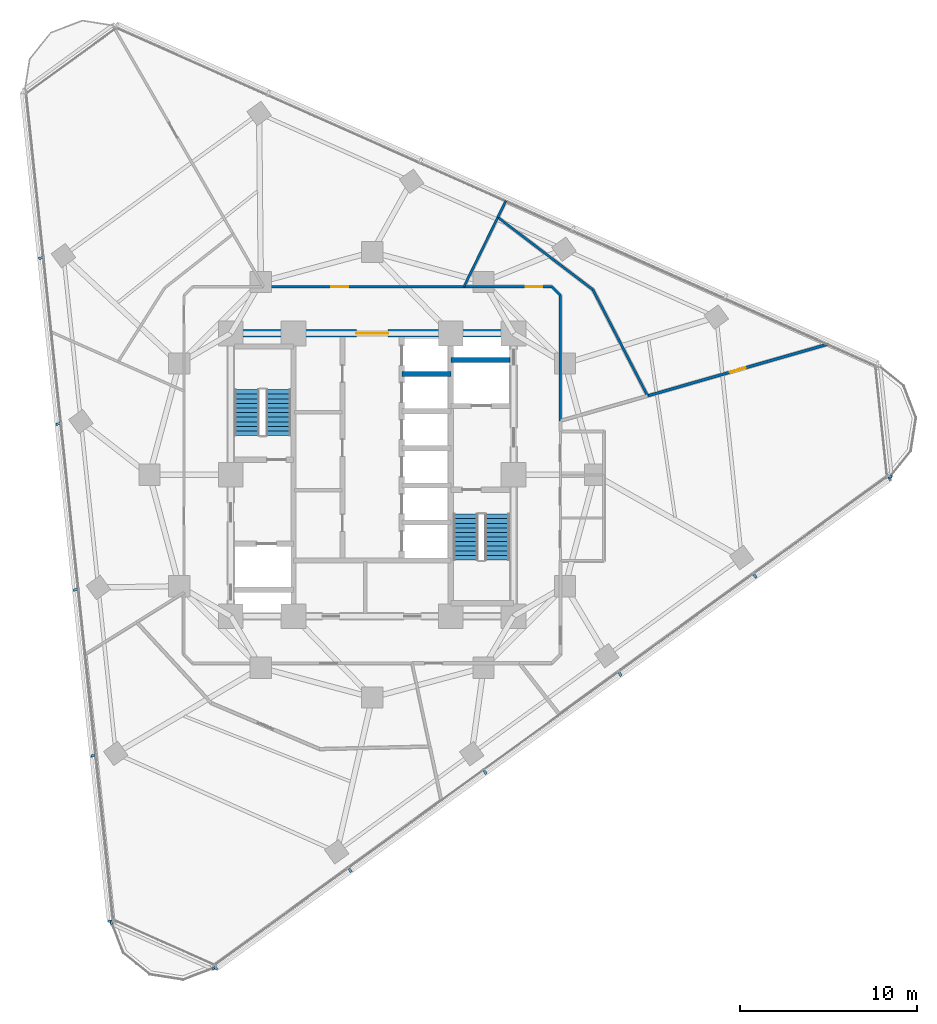
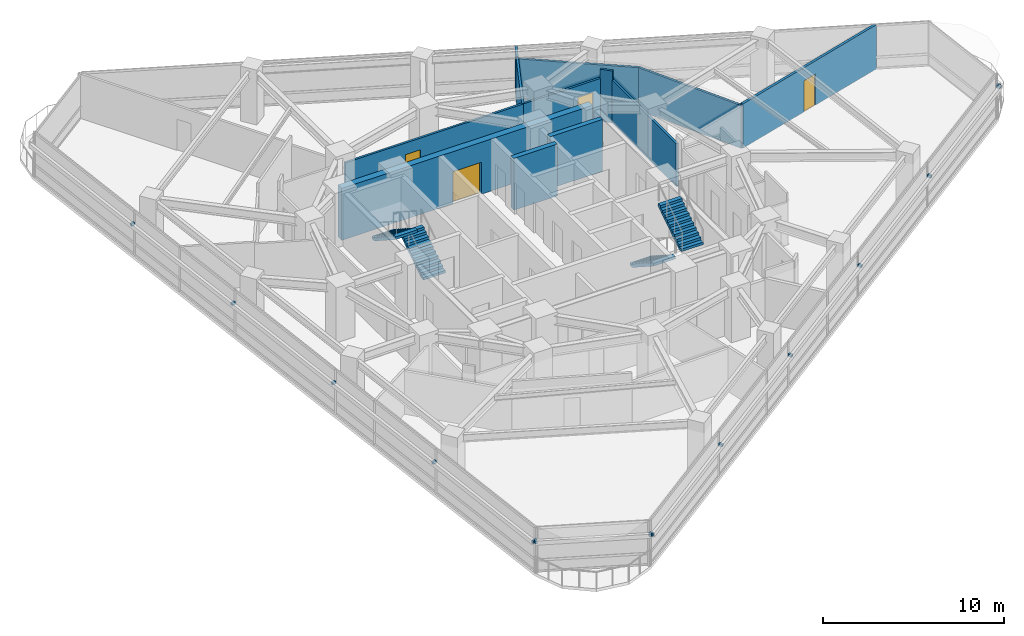
# One storey, part 10 of 14: 14 discrete accessories, 12 walls, 4 doors, 4 stair flights, 4 openings, 2 elements without a shape of their own.
"""IFC4 building model written with IfcOpenShell, lengths in metres."""

import ifcopenshell
import ifcopenshell.guid

model = None  # the IFC model being written
_history = None  # IfcOwnerHistory: only IFC2X3 demands one
_inside = {}  # id of a spatial element -> (the spatial element, [elements in it])
_under = {}  # id of a project, library or spatial element -> (it, [spatial elements below it])
_declared = {}  # id of a project -> (the project, [libraries it declares])
_typed = {}  # id of a type object -> (the type object, [elements of that type])
_made_of = {}  # id of a material, layer set ... -> (it, [elements and type objects made of it])


def new_model(schema):
    """Start an empty IFC model of exactly this schema.

    Asked for "IFC4X3", IfcOpenShell would pick the latest addendum, in which some entities
    have other attributes; the version numbers below select the first issue.
    IFC2X3 requires an IfcOwnerHistory on every rooted entity: one is made here for all.
    """
    global model, _history
    if schema == "IFC4X3":
        model = ifcopenshell.file(schema_version=(4, 3, 0, 0))
    else:
        model = ifcopenshell.file(schema=schema)
    _inside.clear()
    _under.clear()
    _declared.clear()
    _typed.clear()
    _made_of.clear()
    _history = None
    if model.schema == "IFC2X3":
        org = make("IfcOrganization", Name="unknown")
        user = make(
            "IfcPersonAndOrganization",
            ThePerson=make("IfcPerson", FamilyName="unknown"),
            TheOrganization=org,
        )
        app = make(
            "IfcApplication",
            ApplicationDeveloper=org,
            Version="unknown",
            ApplicationFullName="unknown",
            ApplicationIdentifier="unknown",
        )
        _history = make(
            "IfcOwnerHistory",
            OwningUser=user,
            OwningApplication=app,
            ChangeAction="ADDED",
            CreationDate=0,
        )
    return model


def make(cls, **values):
    """One entity of the class cls with the attributes given. An attribute that is None is left unset."""
    return model.create_entity(
        cls, **{name: value for name, value in values.items() if value is not None}
    )


def rooted(cls, **values):
    """An entity with a GlobalId (a new one), such as an element, a storey or a relation."""
    return make(cls, GlobalId=ifcopenshell.guid.new(), OwnerHistory=_history, **values)


def si_unit(unit_type, name, prefix=None):
    """IfcSIUnit, for example si_unit("LENGTHUNIT", "METRE", prefix="MILLI")."""
    return make("IfcSIUnit", UnitType=unit_type, Prefix=prefix, Name=name)


def assignment(units):
    """IfcUnitAssignment: the units of a project."""
    return None if units is None else make("IfcUnitAssignment", Units=units)


def point(xyz):
    """IfcCartesianPoint."""
    return None if xyz is None else make("IfcCartesianPoint", Coordinates=xyz)


def direction(xyz):
    """IfcDirection."""
    return None if xyz is None else make("IfcDirection", DirectionRatios=xyz)


def frame(location, z_axis=None, x_axis=None):
    """IfcAxis2Placement3D, a coordinate frame: its origin and axes. An axis left out is left unset."""
    return make(
        "IfcAxis2Placement3D",
        Location=point(location),
        Axis=direction(z_axis),
        RefDirection=direction(x_axis),
    )


def frame_2d(location, x_axis=None):
    """IfcAxis2Placement2D, a coordinate frame in the plane: its origin and x axis."""
    return make(
        "IfcAxis2Placement2D", Location=point(location), RefDirection=direction(x_axis)
    )


def origin():
    """The frame at (0, 0, 0) with its axes left unset."""
    return frame((0.0, 0.0, 0.0))


def origin_2d():
    """The frame at (0, 0) in the plane with its x axis left unset."""
    return frame_2d((0.0, 0.0))


def place(relative_to, where):
    """IfcLocalPlacement: puts the frame where relative to a parent placement (None: the world)."""
    return make(
        "IfcLocalPlacement", PlacementRelTo=relative_to, RelativePlacement=where
    )


def context(
    kind, dimensions, precision=None, world=None, true_north=None, identifier=None
):
    """IfcGeometricRepresentationContext, for example the 3D "Model" context."""
    return make(
        "IfcGeometricRepresentationContext",
        ContextIdentifier=identifier,
        ContextType=kind,
        CoordinateSpaceDimension=dimensions,
        Precision=precision,
        WorldCoordinateSystem=world,
        TrueNorth=true_north,
    )


def subcontext(parent, identifier, kind, view, scale=None):
    """IfcGeometricRepresentationSubContext, for example "Body" below "Model"."""
    return make(
        "IfcGeometricRepresentationSubContext",
        ContextIdentifier=identifier,
        ContextType=kind,
        ParentContext=parent,
        TargetScale=scale,
        TargetView=view,
    )


def project(units=None, contexts=None):
    """IfcProject with its units and contexts."""
    return rooted(
        "IfcProject",
        Name="project",
        RepresentationContexts=contexts,
        UnitsInContext=assignment(units),
    )


def spatial(cls, under=None, at=None, **own):
    """A site, building, storey or space (cls), placed at a placement, below another one or the project."""
    s = rooted(cls, ObjectPlacement=at, **own)
    if under is not None:
        _under.setdefault(under.id(), (under, []))[1].append(s)
    return s


def polyline(points):
    """IfcPolyline through the points."""
    return make("IfcPolyline", Points=[point(p) for p in points])


def profile(cls, at=None, kind="AREA", **sizes):
    """A parametric profile (cls). Its sizes go by their IFC names, for example OverallWidth=200.0."""
    return make(cls, ProfileType=kind, Position=at, **sizes)


def rectangle(**sizes):
    """IfcRectangleProfileDef."""
    return profile("IfcRectangleProfileDef", **sizes)


def outline(outer, holes=None, kind="AREA"):
    """IfcArbitraryClosedProfileDef: a profile drawn as a closed curve; with holes, ...WithVoids."""
    if holes is None:
        return make("IfcArbitraryClosedProfileDef", ProfileType=kind, OuterCurve=outer)
    return make(
        "IfcArbitraryProfileDefWithVoids",
        ProfileType=kind,
        OuterCurve=outer,
        InnerCurves=holes,
    )


def extrude(swept, where, along, depth):
    """IfcExtrudedAreaSolid: the profile swept, set in the frame where, extruded along a direction by depth."""
    return make(
        "IfcExtrudedAreaSolid",
        SweptArea=swept,
        Position=where,
        ExtrudedDirection=direction(along),
        Depth=depth,
    )


def shape(context_of_items, identifier, shape_type, items):
    """IfcShapeRepresentation: the items that make up one representation, for example the "Body"."""
    return make(
        "IfcShapeRepresentation",
        ContextOfItems=context_of_items,
        RepresentationIdentifier=identifier,
        RepresentationType=shape_type,
        Items=items,
    )


def material(Name=None, Category=None):
    """IfcMaterial."""
    return make("IfcMaterial", Name=Name, Category=Category)


def layer(
    of_material, thickness, ventilated=None, Name=None, Category=None, Priority=None
):
    """IfcMaterialLayer: one layer of a wall or slab, of a material (None: an air gap)."""
    return make(
        "IfcMaterialLayer",
        Material=of_material,
        LayerThickness=thickness,
        IsVentilated=ventilated,
        Name=Name,
        Category=Category,
        Priority=Priority,
    )


def layer_set(layers, Name=None):
    """IfcMaterialLayerSet."""
    return make("IfcMaterialLayerSet", MaterialLayers=layers, LayerSetName=Name)


def made_of(thing, what):
    """Note that an element or type object is made of a material, layer set ...; save() writes the relation."""
    if what is not None:
        _made_of.setdefault(what.id(), (what, []))[1].append(thing)
    return thing


def type_object(cls, material=None, **own):
    """A type object (cls), such as IfcWallType, which elements share."""
    return made_of(rooted(cls, **own), material)


def element(
    cls,
    number,
    at=None,
    inside=None,
    cuts=None,
    type_object=None,
    material=None,
    context=None,
    identifier="Body",
    shape_type=None,
    held_by="IfcProductDefinitionShape",
    body=None,
    shapes=None,
    **own,
):
    """One element of the class cls, such as IfcWall. Its Tag is "e" and its number.

    at: its placement. inside: the storey or other place that contains it. cuts: it is an
    opening in that element (IfcRelVoidsElement). A single representation is given by context,
    identifier, shape_type and body (its items); several are given by shapes. held_by: the class
    of the entity that holds the representations. save() writes the other relations.
    """
    e = rooted(cls, Tag="e%d" % number, ObjectPlacement=at, **own)
    if body is not None:
        shapes = [shape(context, identifier, shape_type, body)]
    if shapes is not None:
        e.Representation = make(held_by, Representations=shapes)
    if inside is not None:
        _inside.setdefault(inside.id(), (inside, []))[1].append(e)
    if cuts is not None:
        rooted(
            "IfcRelVoidsElement", RelatingBuildingElement=cuts, RelatedOpeningElement=e
        )
    if type_object is not None:
        _typed.setdefault(type_object.id(), (type_object, []))[1].append(e)
    return made_of(e, material)


def fill(opening, filler):
    """IfcRelFillsElement: the door or window that sits in an opening."""
    return rooted(
        "IfcRelFillsElement",
        RelatingOpeningElement=opening,
        RelatedBuildingElement=filler,
    )


def aggregate(whole, parts):
    """IfcRelAggregates: a whole, such as a stair, and the parts it consists of."""
    return rooted("IfcRelAggregates", RelatingObject=whole, RelatedObjects=parts)


def save(model, path):
    """Write the relations noted so far, then the file.

    IfcRelAggregates (storeys below a building ...), IfcRelContainedInSpatialStructure (elements
    in a storey), IfcRelDefinesByType, IfcRelAssociatesMaterial and IfcRelDeclares: one each for
    every whole, place, type object, material and project.
    """
    for whole, parts in _under.values():
        aggregate(whole, parts)
    for where, things in _inside.values():
        rooted(
            "IfcRelContainedInSpatialStructure",
            RelatedElements=things,
            RelatingStructure=where,
        )
    for kind, things in _typed.values():
        rooted("IfcRelDefinesByType", RelatedObjects=things, RelatingType=kind)
    for what, things in _made_of.values():
        rooted("IfcRelAssociatesMaterial", RelatedObjects=things, RelatingMaterial=what)
    for by, libraries in _declared.values():
        rooted("IfcRelDeclares", RelatingContext=by, RelatedDefinitions=libraries)
    model.write(path)


model = new_model("IFC4")

# Units and contexts
model_context = context("Model", 3, precision=1e-05, world=origin(), true_north=direction((0.0, 1.0)))
body_context = subcontext(model_context, "Body", "Model", "MODEL_VIEW")
ifc_project = project(units=[si_unit("LENGTHUNIT", "METRE"), si_unit("AREAUNIT", "SQUARE_METRE"), si_unit("VOLUMEUNIT", "CUBIC_METRE"), si_unit("PLANEANGLEUNIT", "RADIAN"), si_unit("MASSUNIT", "GRAM", prefix="KILO")], contexts=[model_context])

# Site, building, storey
site_placement = place(None, origin())
site = spatial("IfcSite", under=ifc_project, at=site_placement, CompositionType="ELEMENT")
building_placement = place(site_placement, origin())
building = spatial("IfcBuilding", under=site, at=building_placement, Name="Terralouvre Media Tower", CompositionType="ELEMENT")
storey_placement = place(building_placement, frame((0.0, 0.0, 162.0)))
storey = spatial("IfcBuildingStorey", under=building, at=storey_placement, Name="L41", CompositionType="ELEMENT", Elevation=162.0)

# Walls
ifc_material_1 = material(Name="Concrete C50/60", Category="concrete")
ifc_layer_1 = layer(ifc_material_1, 0.300048828125, Name="Core Internal Shaft Wall CW-300")
ifc_layer_set_1 = layer_set([ifc_layer_1], Name="Concrete C50/60")
wall_type_1 = type_object("IfcWallType", Name="Core Internal Shaft Wall CW-300", PredefinedType="SHEAR", material=ifc_layer_set_1)
wall_1_placement = place(storey_placement, frame((4.449951171875, 6.5, 0.0), z_axis=(0.0, 0.0, 1.0), x_axis=(1.0, 0.0, 0.0)))
element("IfcWall", 1, at=wall_1_placement, inside=storey, type_object=wall_type_1, Name="L41 Core Shaft Wall FF2N", PredefinedType="SHEAR", context=body_context, shape_type="SweptSolid", body=[
    extrude(rectangle(XDim=3.340087890625, YDim=0.300048828125, at=frame_2d((1.669921875, 0.0))), origin(), (0.0, 0.0, 1.0), 3.5),
])
wall_2_placement = place(storey_placement, frame((1.679931640625, 5.699951171875, 0.0), z_axis=(0.0, 0.0, 1.0), x_axis=(1.0, 0.0, 0.0)))
element("IfcWall", 2, at=wall_2_placement, inside=storey, type_object=wall_type_1, Name="L41 Core Shaft Wall PLMD2", PredefinedType="SHEAR", context=body_context, shape_type="SweptSolid", body=[
    extrude(rectangle(XDim=2.77001953125, YDim=0.300048828125, at=frame_2d((1.385009765625, 0.0))), origin(), (0.0, 0.0, 1.0), 3.5),
])

# Wall, opening, door
ifc_material_2 = material(Name="Concrete C60/75", Category="concrete")
ifc_layer_2 = layer(ifc_material_2, 0.419921875, Name="Core Reinforced Concrete Shear Wall CW-420")
ifc_layer_set_2 = layer_set([ifc_layer_2], Name="Concrete C60/75")
wall_type_2 = type_object("IfcWallType", Name="Core Reinforced Concrete Shear Wall CW-420", PredefinedType="SHEAR", material=ifc_layer_set_2)
wall_3_placement = place(storey_placement, frame((-8.0, 8.0, 0.0), z_axis=(0.0, 0.0, 1.0), x_axis=(1.0, 0.0, 0.0)))
wall_3 = element("IfcWall", 3, at=wall_3_placement, inside=storey, type_object=wall_type_2, Name="L41 N Core Shear Wall", PredefinedType="SHEAR", context=body_context, shape_type="SweptSolid", body=[
    extrude(rectangle(XDim=16.0, YDim=0.419921875, at=frame_2d((8.0, 0.0))), origin(), (0.0, 0.0, 1.0), 3.5),
])
opening_1_placement = place(wall_3_placement, frame((7.10009765625, 0.0, 0.0)))
opening_1 = element("IfcOpeningElement", 4, at=opening_1_placement, cuts=wall_3, Name="Opening FD-03", PredefinedType="OPENING", context=body_context, shape_type="SweptSolid", body=[
    extrude(rectangle(XDim=1.800048828125, YDim=2.14990234375, at=frame_2d((0.89990234375, 1.074951171875))), frame((0.0, 0.219970703125, 0.0), z_axis=(0.0, -1.0, 0.0), x_axis=(1.0, 0.0, 0.0)), (0.0, 0.0, 1.0), 0.43994140625),
])
ifc_material_3 = material(Name="Galvanised steel fire-resisting leaf", Category="steel")
door_type_1 = type_object("IfcDoorType", Name="Corridor Smoke-Control Double Door FD-03", OperationType="DOUBLE_DOOR_SINGLE_SWING", PredefinedType="DOOR", material=ifc_material_3)
door_1_placement = place(opening_1_placement, origin())
door_1 = element("IfcDoor", 5, at=door_1_placement, inside=storey, type_object=door_type_1, Name="L41 Central Lift Lobby Portal Door", OperationType="DOUBLE_DOOR_SINGLE_SWING", OverallHeight=2.14990234375, OverallWidth=1.800048828125, PredefinedType="DOOR", context=body_context, shape_type="SweptSolid", body=[
    extrude(rectangle(XDim=1.800048828125, YDim=2.14990234375, at=frame_2d((0.89990234375, 1.074951171875))), frame((0.0, 0.02490234375, 0.0), z_axis=(0.0, -1.0, 0.0), x_axis=(1.0, 0.0, 0.0)), (0.0, 0.0, 1.0), 0.050048828125),
])
fill(opening_1, door_1)

# Walls
ifc_material_4 = material(Name="Fire-rated gypsum board drywall partition")
ifc_layer_3 = layer(ifc_material_4, 0.135009765625, Name="Newsroom Acoustic Partition PT-135")
ifc_layer_set_3 = layer_set([ifc_layer_3], Name="Fire-rated gypsum board drywall partition")
wall_type_3 = type_object("IfcWallType", Name="Newsroom Acoustic Partition PT-135", PredefinedType="PARTITIONING", material=ifc_layer_set_3)
wall_4_placement = place(storey_placement, frame((10.64990234375, 3.053955078125, 0.0), z_axis=(0.0, 0.0, 1.0), x_axis=(0.0, 1.0, 0.0)))
element("IfcWall", 6, at=wall_4_placement, inside=storey, type_object=wall_type_3, Name="L41 Interior Partition 013", PredefinedType="PARTITIONING", context=body_context, shape_type="SweptSolid", body=[
    extrude(rectangle(XDim=7.095947265625, YDim=0.135009765625, at=frame_2d((3.5478515625, 0.0))), origin(), (0.0, 0.0, 1.0), 2.885009765625),
])
wall_5_placement = place(storey_placement, frame((10.64990234375, 10.14990234375, 0.0), z_axis=(0.0, 0.0, 1.0), x_axis=(-0.707106781187, 0.707106781187, 0.0)))
element("IfcWall", 7, at=wall_5_placement, inside=storey, type_object=wall_type_3, Name="L41 Interior Partition 014", PredefinedType="PARTITIONING", context=body_context, shape_type="SweptSolid", body=[
    extrude(rectangle(XDim=0.70703125, YDim=0.135009765625, at=frame_2d((0.353515625, 0.0))), origin(), (0.0, 0.0, 1.0), 3.5),
])

# Wall, opening, door
wall_6_placement = place(storey_placement, frame((10.14990234375, 10.64990234375, 0.0), z_axis=(0.0, 0.0, 1.0), x_axis=(-1.0, 0.0, 0.0)))
wall_6 = element("IfcWall", 8, at=wall_6_placement, inside=storey, type_object=wall_type_3, Name="L41 Interior Partition 015", PredefinedType="PARTITIONING", context=body_context, shape_type="SweptSolid", body=[
    extrude(rectangle(XDim=4.955810546875, YDim=0.135009765625, at=frame_2d((2.47802734375, 0.0))), origin(), (0.0, 0.0, 1.0), 2.885009765625),
])
opening_2_placement = place(wall_6_placement, frame((0.51611328125, 0.0, 0.0)))
opening_2 = element("IfcOpeningElement", 9, at=opening_2_placement, cuts=wall_6, Name="Opening ID-02-95X210", PredefinedType="OPENING", context=body_context, shape_type="SweptSolid", body=[
    extrude(rectangle(XDim=0.949951171875, YDim=2.10009765625, at=frame_2d((0.47509765625, 1.050048828125))), frame((0.0, 0.077392578125, 0.0), z_axis=(0.0, -1.0, 0.0), x_axis=(1.0, 0.0, 0.0)), (0.0, 0.0, 1.0), 0.155029296875),
])
ifc_material_5 = material(Name="Engineered hardwood acoustic timber leaf", Category="wood")
door_type_2 = type_object("IfcDoorType", Name="Office and Meeting Room Door ID-02 (950x2100)", OperationType="NOTDEFINED", PredefinedType="DOOR", material=ifc_material_5)
door_2_placement = place(opening_2_placement, origin())
door_2 = element("IfcDoor", 10, at=door_2_placement, inside=storey, type_object=door_type_2, Name="L41 Acoustic Music Listening Room 7 Door", OperationType="SINGLE_SWING_LEFT", OverallHeight=2.10009765625, OverallWidth=0.949951171875, PredefinedType="DOOR", context=body_context, shape_type="SweptSolid", body=[
    extrude(rectangle(XDim=0.949951171875, YDim=2.10009765625, at=frame_2d((0.47509765625, 1.050048828125))), frame((0.0, 0.02490234375, 0.0), z_axis=(0.0, -1.0, 0.0), x_axis=(1.0, 0.0, 0.0)), (0.0, 0.0, 1.0), 0.050048828125),
])
fill(opening_2, door_2)

wall_7_placement = place(storey_placement, frame((5.194091796875, 10.64990234375, 0.0), z_axis=(0.0, 0.0, 1.0), x_axis=(-1.0, 0.0, 0.0)))
wall_7 = element("IfcWall", 11, at=wall_7_placement, inside=storey, type_object=wall_type_3, Name="L41 Interior Partition 016", PredefinedType="PARTITIONING", context=body_context, shape_type="SweptSolid", body=[
    extrude(rectangle(XDim=11.343017578125, YDim=0.135009765625, at=frame_2d((5.67138671875, 0.0))), origin(), (0.0, 0.0, 1.0), 2.885009765625),
])
opening_3_placement = place(wall_7_placement, frame((6.5576171875, 0.0, 0.0)))
opening_3 = element("IfcOpeningElement", 12, at=opening_3_placement, cuts=wall_7, Name="Opening ID-02-95X210", PredefinedType="OPENING", context=body_context, shape_type="SweptSolid", body=[
    extrude(rectangle(XDim=0.949951171875, YDim=2.10009765625, at=frame_2d((0.47509765625, 1.050048828125))), frame((0.0, 0.077392578125, 0.0), z_axis=(0.0, -1.0, 0.0), x_axis=(1.0, 0.0, 0.0)), (0.0, 0.0, 1.0), 0.155029296875),
])
door_3_placement = place(opening_3_placement, origin())
door_3 = element("IfcDoor", 13, at=door_3_placement, inside=storey, type_object=door_type_2, Name="L41 Camera Lens Vault Store 8 Door", OperationType="SINGLE_SWING_RIGHT", OverallHeight=2.10009765625, OverallWidth=0.949951171875, PredefinedType="DOOR", context=body_context, shape_type="SweptSolid", body=[
    extrude(rectangle(XDim=0.949951171875, YDim=2.10009765625, at=frame_2d((0.47509765625, 1.050048828125))), frame((0.0, 0.02490234375, 0.0), z_axis=(0.0, -1.0, 0.0), x_axis=(1.0, 0.0, 0.0)), (0.0, 0.0, 1.0), 0.050048828125),
])
fill(opening_3, door_3)

# Walls
wall_8_placement = place(storey_placement, frame((7.10595703125, 14.569091796875, 0.0), z_axis=(0.0, 0.0, 1.0), x_axis=(0.795990968219, -0.60530849863, 0.0)))
element("IfcWall", 14, at=wall_8_placement, inside=storey, type_object=wall_type_3, Name="L41 Interior Partition 039", PredefinedType="PARTITIONING", context=body_context, shape_type="SweptSolid", body=[
    extrude(rectangle(XDim=6.76025390625, YDim=0.135009765625, at=frame_2d((3.380126953125, 0.0))), origin(), (0.0, 0.0, 1.0), 2.885009765625),
])
wall_9_placement = place(storey_placement, frame((12.487060546875, 10.47705078125, 0.0), z_axis=(0.0, 0.0, 1.0), x_axis=(0.457887389752, -0.889010201464, 0.0)))
element("IfcWall", 15, at=wall_9_placement, inside=storey, type_object=wall_type_3, Name="L41 Interior Partition 040", PredefinedType="PARTITIONING", context=body_context, shape_type="SweptSolid", body=[
    extrude(rectangle(XDim=6.75927734375, YDim=0.135009765625, at=frame_2d((3.379638671875, 0.0))), origin(), (0.0, 0.0, 1.0), 2.885009765625),
])
wall_10_placement = place(storey_placement, frame((7.564453125, 15.509521484375, 0.0), z_axis=(0.0, 0.0, 1.0), x_axis=(-0.438230528202, -0.898862616951, 0.0)))
element("IfcWall", 16, at=wall_10_placement, inside=storey, type_object=wall_type_3, Name="L41 Interior Partition 041", PredefinedType="PARTITIONING", context=body_context, shape_type="SweptSolid", body=[
    extrude(rectangle(XDim=1.046142578125, YDim=0.135009765625, at=frame_2d((0.52294921875, 0.0))), origin(), (0.0, 0.0, 1.0), 2.985107421875),
])
wall_11_placement = place(storey_placement, frame((7.10595703125, 14.569091796875, 0.0), z_axis=(0.0, 0.0, 1.0), x_axis=(-0.43843576568, -0.898762526684, 0.0)))
element("IfcWall", 17, at=wall_11_placement, inside=storey, type_object=wall_type_3, Name="L41 Interior Partition 042", PredefinedType="PARTITIONING", context=body_context, shape_type="SweptSolid", body=[
    extrude(rectangle(XDim=4.360595703125, YDim=0.135009765625, at=frame_2d((2.18017578125, 0.0))), origin(), (0.0, 0.0, 1.0), 2.885009765625),
])

# Wall, opening, door
ifc_material_6 = material(Name="Fire-rated gypsum board drywall partition")
ifc_layer_4 = layer(ifc_material_6, 0.159912109375, Name="Studio Acoustic Rated Partition PT-160")
ifc_layer_set_4 = layer_set([ifc_layer_4], Name="Fire-rated gypsum board drywall partition")
wall_type_4 = type_object("IfcWallType", Name="Studio Acoustic Rated Partition PT-160", PredefinedType="PARTITIONING", material=ifc_layer_set_4)
wall_12_placement = place(storey_placement, frame((25.789794921875, 7.395263671875, 0.0), z_axis=(0.0, 0.0, 1.0), x_axis=(-0.961256282332, -0.275656234607, 0.0)))
wall_12 = element("IfcWall", 18, at=wall_12_placement, inside=storey, type_object=wall_type_4, Name="L41 Interior Partition 037", PredefinedType="PARTITIONING", context=body_context, shape_type="SweptSolid", body=[
    extrude(rectangle(XDim=10.619140625, YDim=0.159912109375, at=frame_2d((5.3095703125, 0.0))), origin(), (0.0, 0.0, 1.0), 2.985107421875),
])
opening_4_placement = place(wall_12_placement, frame((4.849609375, 0.0, 0.0)))
opening_4 = element("IfcOpeningElement", 19, at=opening_4_placement, cuts=wall_12, Name="Opening ID-03-92X210", PredefinedType="OPENING", context=body_context, shape_type="SweptSolid", body=[
    extrude(rectangle(XDim=0.919921875, YDim=2.10009765625, at=frame_2d((0.4599609375, 1.050048828125))), frame((0.0, 0.08984375, 0.0), z_axis=(0.0, -1.0, 0.0), x_axis=(1.0, 0.0, 0.0)), (0.0, 0.0, 1.0), 0.179931640625),
])
ifc_material_7 = material(Name="Engineered hardwood acoustic timber leaf", Category="wood")
door_type_3 = type_object("IfcDoorType", Name="Accessible Restroom and Suite Door ID-03 (920x2100)", OperationType="NOTDEFINED", PredefinedType="DOOR", material=ifc_material_7)
door_4_placement = place(opening_4_placement, origin())
door_4 = element("IfcDoor", 20, at=door_4_placement, inside=storey, type_object=door_type_3, Name="L41 Creative Set Workshop 6 Door", OperationType="SINGLE_SWING_LEFT", OverallHeight=2.10009765625, OverallWidth=0.919921875, PredefinedType="DOOR", context=body_context, shape_type="SweptSolid", body=[
    extrude(rectangle(XDim=0.919921875, YDim=2.10009765625, at=frame_2d((0.4599609375, 1.050048828125))), frame((0.0, 0.02490234375, 0.0), z_axis=(0.0, -1.0, 0.0), x_axis=(1.0, 0.0, 0.0)), (0.0, 0.0, 1.0), 0.050048828125),
])
fill(opening_4, door_4)

# Stair, stair flights
ifc_material_8 = material(Name="Concrete C45/55", Category="concrete")
stair_type_1 = type_object("IfcStairType", Name="Dogleg Stair Assembly ST-01", PredefinedType="HALF_TURN_STAIR", material=ifc_material_8)
stair_1_placement = place(storey_placement, origin())
stair_1 = element("IfcStair", 21, at=stair_1_placement, inside=storey, type_object=stair_type_1, Name="L41 Core Pressurised Exit Stair ST-01", PredefinedType="HALF_TURN_STAIR")
ifc_material_9 = material(Name="Concrete C45/55", Category="concrete")
stair_flight_type = type_object("IfcStairFlightType", Name="Reinforced Concrete Stair Flight SF-RC1", PredefinedType="STRAIGHT", material=ifc_material_9)
stair_flight_1_placement = place(storey_placement, frame((-5.300048828125, 2.219970703125, 0.0), z_axis=(0.0, 0.0, 1.0), x_axis=(0.0, 1.0, 0.0)))
stair_flight_1 = element("IfcStairFlight", 22, at=stair_flight_1_placement, type_object=stair_flight_type, Name="ST-01 flight 1", NumberOfRisers=11, NumberOfTreads=10, PredefinedType="STRAIGHT", RiserHeight=0.168181818, TreadLength=0.26, context=body_context, shape_type="SweptSolid", body=[
    extrude(outline(polyline([(0.0, 0.0), (0.0, 0.168212890625), (0.260009765625, 0.168212890625), (0.260009765625, 0.33642578125), (0.52001953125, 0.33642578125), (0.52001953125, 0.504638671875), (0.780029296875, 0.504638671875), (0.780029296875, 0.672607421875), (1.0400390625, 0.672607421875), (1.0400390625, 0.8408203125), (1.300048828125, 0.8408203125), (1.300048828125, 1.009033203125), (1.56005859375, 1.009033203125), (1.56005859375, 1.17724609375), (1.820068359375, 1.17724609375), (1.820068359375, 1.345458984375), (2.080078125, 1.345458984375), (2.080078125, 1.513671875), (2.340087890625, 1.513671875), (2.340087890625, 1.681884765625), (2.60009765625, 1.681884765625), (2.60009765625, 1.85009765625), (2.60009765625, 1.503173828125), (0.27587890625, 0.0), (0.0, 0.0)])), frame((0.0, 0.699951171875, 0.0), z_axis=(0.0, -1.0, 0.0), x_axis=(1.0, 0.0, 0.0)), (0.0, 0.0, 1.0), 1.39990234375),
])
stair_flight_2_placement = place(storey_placement, frame((-7.080078125, 4.820068359375, 1.85009765625), z_axis=(0.0, 0.0, 1.0), x_axis=(0.0, -1.0, 0.0)))
stair_flight_2 = element("IfcStairFlight", 23, at=stair_flight_2_placement, type_object=stair_flight_type, Name="ST-01 flight 2", NumberOfRisers=11, NumberOfTreads=10, PredefinedType="STRAIGHT", RiserHeight=0.168181818, TreadLength=0.26, context=body_context, shape_type="SweptSolid", body=[
    extrude(outline(polyline([(0.0, 0.0), (0.0, 0.168212890625), (0.260009765625, 0.168212890625), (0.260009765625, 0.33642578125), (0.52001953125, 0.33642578125), (0.52001953125, 0.504638671875), (0.780029296875, 0.504638671875), (0.780029296875, 0.672607421875), (1.0400390625, 0.672607421875), (1.0400390625, 0.8408203125), (1.300048828125, 0.8408203125), (1.300048828125, 1.009033203125), (1.56005859375, 1.009033203125), (1.56005859375, 1.17724609375), (1.820068359375, 1.17724609375), (1.820068359375, 1.345458984375), (2.080078125, 1.345458984375), (2.080078125, 1.513671875), (2.340087890625, 1.513671875), (2.340087890625, 1.681884765625), (2.60009765625, 1.681884765625), (2.60009765625, 1.85009765625), (2.60009765625, 1.503173828125), (0.27587890625, 0.0), (0.0, 0.0)])), frame((0.0, 0.699951171875, 0.0), z_axis=(0.0, -1.0, 0.0), x_axis=(1.0, 0.0, 0.0)), (0.0, 0.0, 1.0), 1.39990234375),
])
aggregate(stair_1, [stair_flight_1, stair_flight_2])

ifc_material_10 = material(Name="Concrete C45/55", Category="concrete")
stair_type_2 = type_object("IfcStairType", Name="Dogleg Stair Assembly ST-02", PredefinedType="HALF_TURN_STAIR", material=ifc_material_10)
stair_2_placement = place(storey_placement, origin())
stair_2 = element("IfcStair", 24, at=stair_2_placement, inside=storey, type_object=stair_type_2, Name="L41 Core Pressurised Exit Stair ST-02", PredefinedType="HALF_TURN_STAIR")
stair_flight_3_placement = place(storey_placement, frame((5.300048828125, -2.219970703125, 0.0), z_axis=(0.0, 0.0, 1.0), x_axis=(0.0, -1.0, 0.0)))
stair_flight_3 = element("IfcStairFlight", 25, at=stair_flight_3_placement, type_object=stair_flight_type, Name="ST-02 flight 1", NumberOfRisers=11, NumberOfTreads=10, PredefinedType="STRAIGHT", RiserHeight=0.168181818, TreadLength=0.26, context=body_context, shape_type="SweptSolid", body=[
    extrude(outline(polyline([(0.0, 0.0), (0.0, 0.168212890625), (0.260009765625, 0.168212890625), (0.260009765625, 0.33642578125), (0.52001953125, 0.33642578125), (0.52001953125, 0.504638671875), (0.780029296875, 0.504638671875), (0.780029296875, 0.672607421875), (1.0400390625, 0.672607421875), (1.0400390625, 0.8408203125), (1.300048828125, 0.8408203125), (1.300048828125, 1.009033203125), (1.56005859375, 1.009033203125), (1.56005859375, 1.17724609375), (1.820068359375, 1.17724609375), (1.820068359375, 1.345458984375), (2.080078125, 1.345458984375), (2.080078125, 1.513671875), (2.340087890625, 1.513671875), (2.340087890625, 1.681884765625), (2.60009765625, 1.681884765625), (2.60009765625, 1.85009765625), (2.60009765625, 1.503173828125), (0.27587890625, 0.0), (0.0, 0.0)])), frame((0.0, 0.699951171875, 0.0), z_axis=(0.0, -1.0, 0.0), x_axis=(1.0, 0.0, 0.0)), (0.0, 0.0, 1.0), 1.39990234375),
])
stair_flight_4_placement = place(storey_placement, frame((7.080078125, -4.820068359375, 1.85009765625), z_axis=(0.0, 0.0, 1.0), x_axis=(0.0, 1.0, 0.0)))
stair_flight_4 = element("IfcStairFlight", 26, at=stair_flight_4_placement, type_object=stair_flight_type, Name="ST-02 flight 2", NumberOfRisers=11, NumberOfTreads=10, PredefinedType="STRAIGHT", RiserHeight=0.168181818, TreadLength=0.26, context=body_context, shape_type="SweptSolid", body=[
    extrude(outline(polyline([(0.0, 0.0), (0.0, 0.168212890625), (0.260009765625, 0.168212890625), (0.260009765625, 0.33642578125), (0.52001953125, 0.33642578125), (0.52001953125, 0.504638671875), (0.780029296875, 0.504638671875), (0.780029296875, 0.672607421875), (1.0400390625, 0.672607421875), (1.0400390625, 0.8408203125), (1.300048828125, 0.8408203125), (1.300048828125, 1.009033203125), (1.56005859375, 1.009033203125), (1.56005859375, 1.17724609375), (1.820068359375, 1.17724609375), (1.820068359375, 1.345458984375), (2.080078125, 1.345458984375), (2.080078125, 1.513671875), (2.340087890625, 1.513671875), (2.340087890625, 1.681884765625), (2.60009765625, 1.681884765625), (2.60009765625, 1.85009765625), (2.60009765625, 1.503173828125), (0.27587890625, 0.0), (0.0, 0.0)])), frame((0.0, 0.699951171875, 0.0), z_axis=(0.0, -1.0, 0.0), x_axis=(1.0, 0.0, 0.0)), (0.0, 0.0, 1.0), 1.39990234375),
])
aggregate(stair_2, [stair_flight_3, stair_flight_4])

# Discrete accessories
ifc_material_11 = material(Name="Anodised extruded aluminium 6063-T6", Category="aluminium")
discrete_accessory_type = type_object("IfcDiscreteAccessoryType", Name="Mullion Stand-Off Baguette Fixing Bracket BK-01", PredefinedType="BRACKET", material=ifc_material_11)
for number, where, z_axis, x_axis, name in (
    (27, (-8.855224609375, -27.898681640625, 2.07421875), (0.0, 0.0, 1.0), (0.809016917383, 0.587785358263, 0.0), "CW-L41-F0 Baguette Outrigger Bracket 1.01"),
    (28, (-1.24853515625, -22.3720703125, 2.07421875), (0.0, 0.0, 1.0), (0.809016917383, 0.587785358263, 0.0), "CW-L41-F0 Baguette Outrigger Bracket 1.02"),
    (29, (6.388671875, -16.8232421875, 2.07421875), (0.0, 0.0, 1.0), (0.809016917383, 0.587785358263, 0.0), "CW-L41-F0 Baguette Outrigger Bracket 1.03"),
    (30, (14.025634765625, -11.274658203125, 2.07421875), (0.0, 0.0, 1.0), (0.809016917383, 0.587785358263, 0.0), "CW-L41-F0 Baguette Outrigger Bracket 1.04"),
    (31, (21.662841796875, -5.725830078125, 2.07421875), (0.0, 0.0, 1.0), (0.809016917383, 0.587785358263, 0.0), "CW-L41-F0 Baguette Outrigger Bracket 1.05"),
    (32, (29.26953125, -0.19921875, 2.07421875), (0.0, 0.0, 1.0), (0.809016917383, 0.587785358263, 0.0), "CW-L41-F0 Baguette Outrigger Bracket 1.06"),
    (33, (-18.75048828125, 12.267333984375, 2.07421875), (0.0, 0.0, 1.0), (0.104528376236, -0.994521904516, 0.0), "CW-L41-F2 Baguette Outrigger Bracket 1.02"),
    (34, (-17.763671875, 2.87890625, 2.07421875), (0.0, 0.0, 1.0), (0.104528376236, -0.994521904516, 0.0), "CW-L41-F2 Baguette Outrigger Bracket 1.03"),
    (35, (-16.77685546875, -6.50927734375, 2.07421875), (0.0, 0.0, 1.0), (0.104528376236, -0.994521904516, 0.0), "CW-L41-F2 Baguette Outrigger Bracket 1.04"),
    (36, (-15.790283203125, -15.897705078125, 2.07421875), (0.0, 0.0, 1.0), (0.104528376236, -0.994521904516, 0.0), "CW-L41-F2 Baguette Outrigger Bracket 1.05"),
    (37, (-14.807373046875, -25.24853515625, 2.07421875), (0.0, 0.0, 1.0), (0.104528376236, -0.994521904516, 0.0), "CW-L41-F2 Baguette Outrigger Bracket 1.06"),
    (38, (-14.737548828125, -25.315185546875, 2.07421875), (0.0, 0.0, 1.0), (0.913545408199, -0.406736754128, 0.0), "CW-L41-C0 Baguette Outrigger Bracket 1.01"),
    (39, (-8.95166015625, -27.891357421875, 2.07421875), (0.0, 0.0, 1.0), (0.913545408199, -0.406736754128, 0.0), "CW-L41-C0 Baguette Outrigger Bracket 1.02"),
    (40, (29.29248046875, -0.10546875, 2.07421875), (0.0, 0.0, 1.0), (-0.10452850319, 0.994521891172, 0.0), "CW-L41-C1 Baguette Outrigger Bracket 1.01"),
):
    element("IfcDiscreteAccessory", number, at=place(storey_placement, frame(where, z_axis=z_axis, x_axis=x_axis)), inside=storey, type_object=discrete_accessory_type, Name=name, PredefinedType="BRACKET", context=body_context, shape_type="SweptSolid", body=[
        extrude(rectangle(XDim=0.139892578125, YDim=0.239990234375, at=origin_2d()), origin(), (0.0, 0.0, 1.0), 0.179931640625),
    ])

save(model, "model.ifc")
